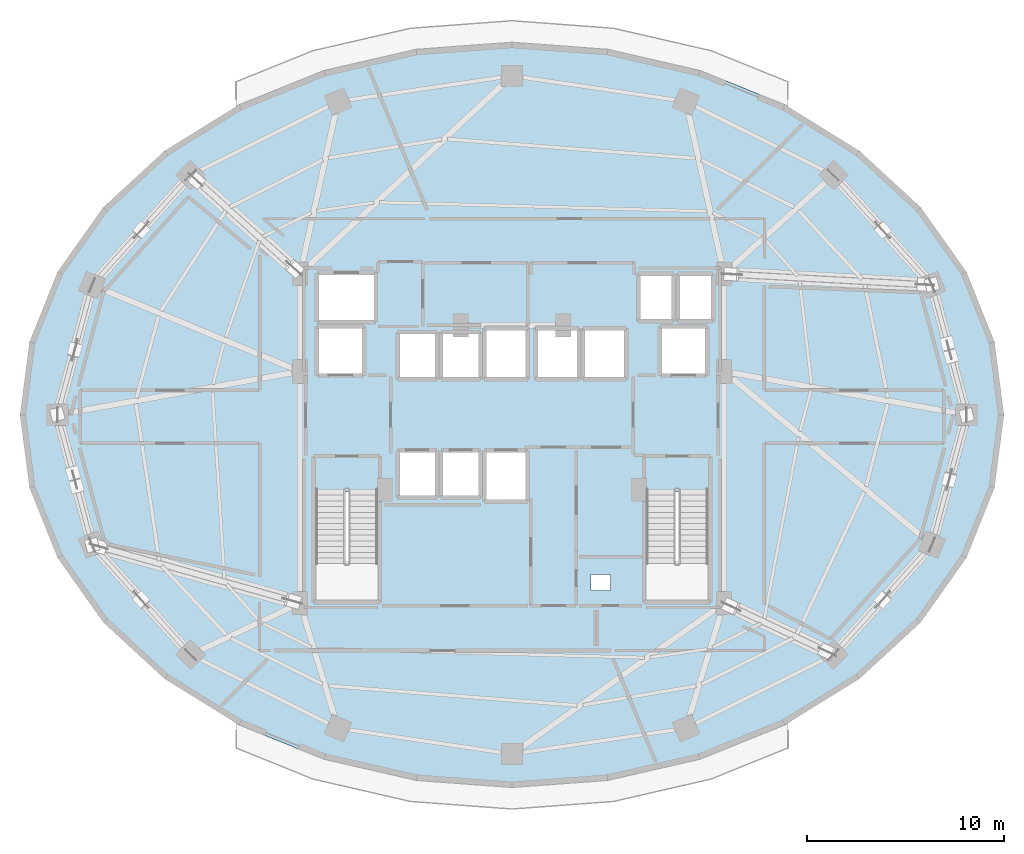
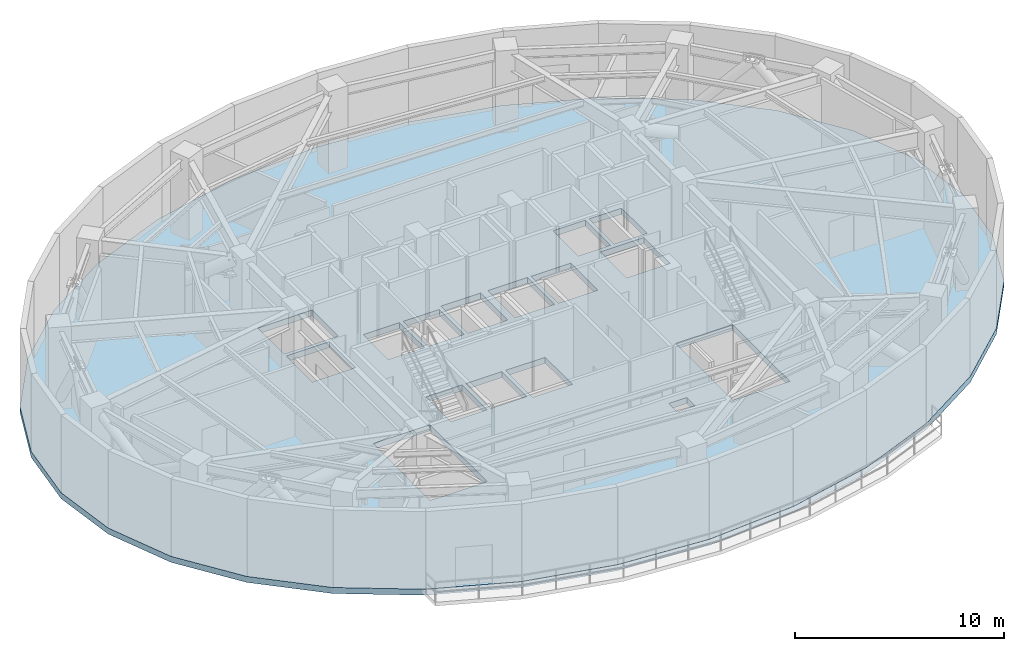
# One storey, part 4 of 11: 1 slab.
"""IFC4 building model written with IfcOpenShell, lengths in metres."""

from ifc_helpers import new_model, si_unit, direction, frame, origin, place, context, subcontext, project, spatial, polyline, outline, extrude, material, layer, layer_set, type_object, element, save


model = new_model("IFC4")

# Units and contexts
model_context = context("Model", 3, precision=1e-05, world=origin(), true_north=direction((0.0, 1.0)))
body_context = subcontext(model_context, "Body", "Model", "MODEL_VIEW")
ifc_project = project(units=[si_unit("LENGTHUNIT", "METRE"), si_unit("AREAUNIT", "SQUARE_METRE"), si_unit("VOLUMEUNIT", "CUBIC_METRE"), si_unit("PLANEANGLEUNIT", "RADIAN"), si_unit("MASSUNIT", "GRAM", prefix="KILO")], contexts=[model_context])

# Site, building, storey
site_placement = place(None, origin())
site = spatial("IfcSite", under=ifc_project, at=site_placement, CompositionType="ELEMENT")
building_placement = place(site_placement, origin())
building = spatial("IfcBuilding", under=site, at=building_placement, Name="Vorneva Point Tower", CompositionType="ELEMENT")
storey_placement = place(building_placement, frame((0.0, 0.0, 124.300048828125)))
storey = spatial("IfcBuildingStorey", under=building, at=storey_placement, Name="L33", CompositionType="ELEMENT", Elevation=124.300048828125)

# Slab
ifc_material = material(Name="Concrete B50 (C40/50)", Category="concrete")
ifc_layer = layer(ifc_material, 0.35009765625)
ifc_layer_set = layer_set([ifc_layer], Name="Concrete B50 (C40/50)")
slab_type = type_object("IfcSlabType", Name="SLB-B01-350", PredefinedType="FLOOR", material=ifc_layer_set)
slab_placement = place(storey_placement, frame((0.0, 0.0, -0.35009765625)))
element("IfcSlab", 1, at=slab_placement, inside=storey, type_object=slab_type, Name="L33 Structural Floor Plate", PredefinedType="FLOOR", context=body_context, shape_type="SweptSolid", body=[
    extrude(outline(polyline([(62.949951171875, 26.0), (62.470703125, 29.687255859375), (61.05078125, 33.232666015625), (58.7451171875, 36.500244140625), (55.642333984375, 39.3642578125), (51.861572265625, 41.71484375), (47.548095703125, 43.461181640625), (42.867431640625, 44.536865234375), (38.0, 44.89990234375), (33.132568359375, 44.536865234375), (28.451904296875, 43.461181640625), (24.138427734375, 41.71484375), (20.357666015625, 39.3642578125), (17.2548828125, 36.500244140625), (14.94921875, 33.232666015625), (13.529296875, 29.687255859375), (13.050048828125, 26.0), (13.529296875, 22.312744140625), (14.94921875, 18.767333984375), (17.2548828125, 15.499755859375), (20.357666015625, 12.6357421875), (24.138427734375, 10.28515625), (28.451904296875, 8.538818359375), (33.132568359375, 7.463134765625), (38.0, 7.10009765625), (42.867431640625, 7.463134765625), (47.548095703125, 8.538818359375), (51.861572265625, 10.28515625), (55.642333984375, 12.6357421875), (58.7451171875, 15.499755859375), (61.05078125, 18.767333984375), (62.470703125, 22.312744140625), (62.949951171875, 26.0)]), holes=[polyline([(32.199951171875, 27.800048828125), (34.199951171875, 27.800048828125), (34.199951171875, 30.199951171875), (32.199951171875, 30.199951171875), (32.199951171875, 27.800048828125)]), polyline([(34.39990234375, 27.800048828125), (36.39990234375, 27.800048828125), (36.39990234375, 30.199951171875), (34.39990234375, 30.199951171875), (34.39990234375, 27.800048828125)]), polyline([(36.60009765625, 27.800048828125), (38.800048828125, 27.800048828125), (38.800048828125, 30.39990234375), (36.60009765625, 30.39990234375), (36.60009765625, 27.800048828125)]), polyline([(32.199951171875, 21.800048828125), (34.199951171875, 21.800048828125), (34.199951171875, 24.199951171875), (32.199951171875, 24.199951171875), (32.199951171875, 21.800048828125)]), polyline([(34.39990234375, 21.800048828125), (36.39990234375, 21.800048828125), (36.39990234375, 24.199951171875), (34.39990234375, 24.199951171875), (34.39990234375, 21.800048828125)]), polyline([(36.60009765625, 21.60009765625), (38.800048828125, 21.60009765625), (38.800048828125, 24.199951171875), (36.60009765625, 24.199951171875), (36.60009765625, 21.60009765625)]), polyline([(39.199951171875, 27.800048828125), (41.39990234375, 27.800048828125), (41.39990234375, 30.39990234375), (39.199951171875, 30.39990234375), (39.199951171875, 27.800048828125)]), polyline([(41.60009765625, 27.800048828125), (43.800048828125, 27.800048828125), (43.800048828125, 30.39990234375), (41.60009765625, 30.39990234375), (41.60009765625, 27.800048828125)]), polyline([(44.39990234375, 30.739990234375), (46.199951171875, 30.739990234375), (46.199951171875, 33.159912109375), (44.39990234375, 33.159912109375), (44.39990234375, 30.739990234375)]), polyline([(46.39990234375, 30.739990234375), (48.199951171875, 30.739990234375), (48.199951171875, 33.159912109375), (46.39990234375, 33.159912109375), (46.39990234375, 30.739990234375)]), polyline([(28.10009765625, 28.0), (30.5, 28.0), (30.5, 30.5), (28.10009765625, 30.5), (28.10009765625, 28.0)]), polyline([(45.5, 28.0), (47.89990234375, 28.0), (47.89990234375, 30.5), (45.5, 30.5), (45.5, 28.0)]), polyline([(28.10009765625, 30.699951171875), (31.10009765625, 30.699951171875), (31.10009765625, 33.199951171875), (28.10009765625, 33.199951171875), (28.10009765625, 30.699951171875)]), polyline([(28.050048828125, 16.60009765625), (31.199951171875, 16.60009765625), (31.199951171875, 22.080078125), (28.050048828125, 22.080078125), (28.050048828125, 16.60009765625)]), polyline([(44.800048828125, 16.60009765625), (47.949951171875, 16.60009765625), (47.949951171875, 22.080078125), (44.800048828125, 22.080078125), (44.800048828125, 16.60009765625)]), polyline([(42.0, 17.10009765625), (43.0, 17.10009765625), (43.0, 17.89990234375), (42.0, 17.89990234375), (42.0, 17.10009765625)])]), origin(), (0.0, 0.0, 1.0), 0.35009765625),
])

save(model, "model.ifc")
